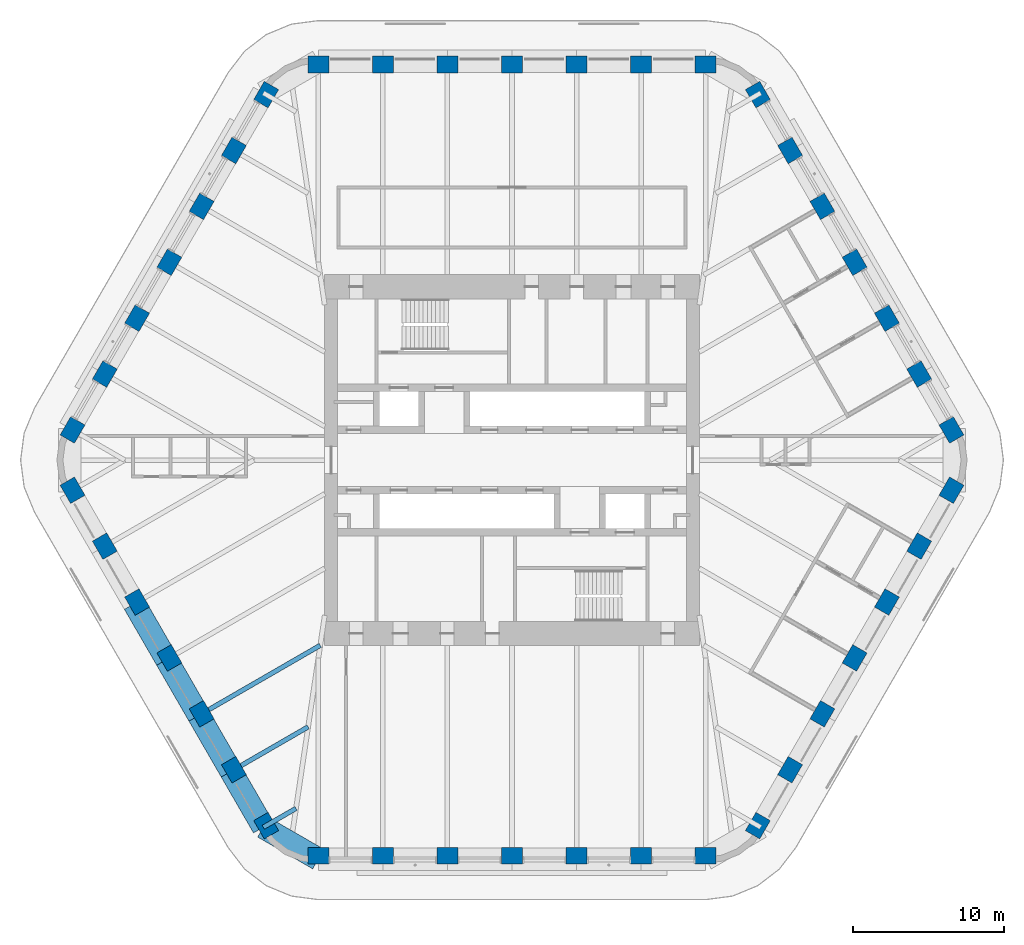
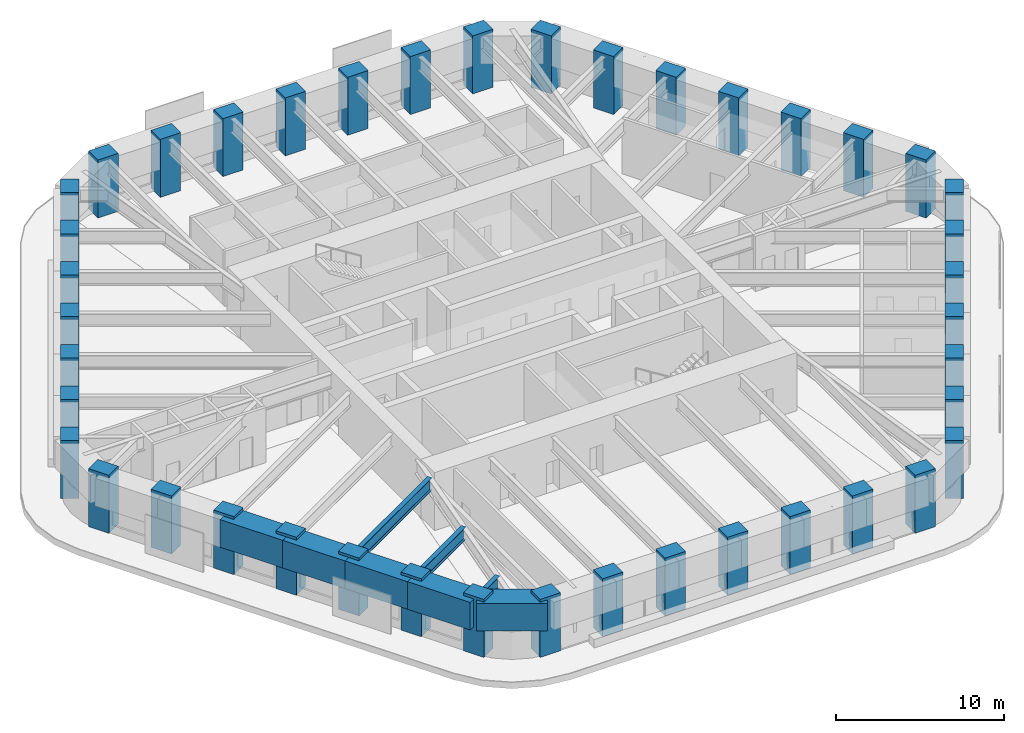
# One storey, part 1 of 18: 42 columns, 8 beams.
"""IFC4 building model written with IfcOpenShell, lengths in metres."""

from ifc_helpers import new_model, si_unit, direction, frame, origin, origin_2d, place, context, subcontext, project, spatial, rectangle, i_section, extrude, material, material_profile, profile_set, type_object, element, save


model = new_model("IFC4")

# Units and contexts
model_context = context("Model", 3, precision=1e-05, world=origin(), true_north=direction((0.0, 1.0)))
body_context = subcontext(model_context, "Body", "Model", "MODEL_VIEW")
ifc_project = project(units=[si_unit("LENGTHUNIT", "METRE"), si_unit("AREAUNIT", "SQUARE_METRE"), si_unit("VOLUMEUNIT", "CUBIC_METRE"), si_unit("PLANEANGLEUNIT", "RADIAN"), si_unit("MASSUNIT", "GRAM", prefix="KILO")], contexts=[model_context])

# Site, building, storey
site_placement = place(None, origin())
site = spatial("IfcSite", under=ifc_project, at=site_placement, CompositionType="ELEMENT")
building_placement = place(site_placement, origin())
building = spatial("IfcBuilding", under=site, at=building_placement, Name="Tarfa Lantern Tower", CompositionType="ELEMENT")
storey_placement = place(building_placement, frame((0.0, 0.0, 315.699951171875)))
storey = spatial("IfcBuildingStorey", under=building, at=storey_placement, Name="L71", CompositionType="ELEMENT", Elevation=315.699951171875)

# Columns
ifc_material_1 = material(Name="Concrete C80/95", Category="concrete")
ifc_material_profile_1 = material_profile(ifc_material_1, rectangle(XDim=1.39990234375, YDim=1.10009765625, at=origin_2d()), Name="RC 1400x1100")
ifc_profile_set_1 = profile_set([ifc_material_profile_1], Name="Concrete C80/95")
column_type = type_object("IfcColumnType", Name="TC13 RC 1400x1100", PredefinedType="COLUMN", material=ifc_profile_set_1)
for number, where, z_axis, x_axis, name in (
    (1, (29.15625, 2.0, 0.0), (0.0, 0.0, 1.0), (-0.5, 0.866025403784, 0.0), "Tube column NE0"),
    (2, (27.01513671875, 5.708251953125, 0.0), (0.0, 0.0, 1.0), (-0.5, 0.866025403784, 0.0), "Tube column NE1"),
    (3, (24.874267578125, 9.416748046875, 0.0), (0.0, 0.0, 1.0), (-0.5, 0.866025403784, 0.0), "Tube column NE2"),
    (4, (22.733154296875, 13.125, 0.0), (0.0, 0.0, 1.0), (-0.5, 0.866025403784, 0.0), "Tube column NE3"),
    (5, (20.592041015625, 16.833251953125, 0.0), (0.0, 0.0, 1.0), (-0.5, 0.866025403784, 0.0), "Tube column NE4"),
    (6, (18.451171875, 20.541748046875, 0.0), (0.0, 0.0, 1.0), (-0.5, 0.866025403784, 0.0), "Tube column NE5"),
    (7, (16.31005859375, 24.25, 0.0), (0.0, 0.0, 1.0), (-0.5, 0.866025403784, 0.0), "Tube column NE6"),
    (8, (12.845947265625, 26.25, 0.0), (0.0, 0.0, 1.0), (-1.0, 0.0, 0.0), "Tube column N0"),
    (9, (8.56396484375, 26.25, 0.0), (0.0, 0.0, 1.0), (-1.0, 0.0, 0.0), "Tube column N1"),
    (10, (4.281982421875, 26.25, 0.0), (0.0, 0.0, 1.0), (-1.0, 0.0, 0.0), "Tube column N2"),
    (11, (0.0, 26.25, 0.0), (0.0, 0.0, 1.0), (-1.0, 0.0, 0.0), "Tube column N3"),
    (12, (-4.281982421875, 26.25, 0.0), (0.0, 0.0, 1.0), (-1.0, 0.0, 0.0), "Tube column N4"),
    (13, (-8.56396484375, 26.25, 0.0), (0.0, 0.0, 1.0), (-1.0, 0.0, 0.0), "Tube column N5"),
    (14, (-12.845947265625, 26.25, 0.0), (0.0, 0.0, 1.0), (-1.0, 0.0, 0.0), "Tube column N6"),
    (15, (-16.31005859375, 24.25, 0.0), (0.0, 0.0, 1.0), (-0.5, -0.866025403784, 0.0), "Tube column NW0"),
    (16, (-18.451171875, 20.541748046875, 0.0), (0.0, 0.0, 1.0), (-0.5, -0.866025403784, 0.0), "Tube column NW1"),
    (17, (-20.592041015625, 16.833251953125, 0.0), (0.0, 0.0, 1.0), (-0.5, -0.866025403784, 0.0), "Tube column NW2"),
    (18, (-22.733154296875, 13.125, 0.0), (0.0, 0.0, 1.0), (-0.5, -0.866025403784, 0.0), "Tube column NW3"),
    (19, (-24.874267578125, 9.416748046875, 0.0), (0.0, 0.0, 1.0), (-0.5, -0.866025403784, 0.0), "Tube column NW4"),
    (20, (-27.01513671875, 5.708251953125, 0.0), (0.0, 0.0, 1.0), (-0.5, -0.866025403784, 0.0), "Tube column NW5"),
    (21, (-29.15625, 2.0, 0.0), (0.0, 0.0, 1.0), (-0.5, -0.866025403784, 0.0), "Tube column NW6"),
    (22, (-29.15625, -2.0, 0.0), (0.0, 0.0, 1.0), (0.5, -0.866025403784, 0.0), "Tube column SW0"),
    (23, (-27.01513671875, -5.708251953125, 0.0), (0.0, 0.0, 1.0), (0.5, -0.866025403784, 0.0), "Tube column SW1"),
    (24, (-24.874267578125, -9.416748046875, 0.0), (0.0, 0.0, 1.0), (0.5, -0.866025403784, 0.0), "Tube column SW2"),
    (25, (-22.733154296875, -13.125, 0.0), (0.0, 0.0, 1.0), (0.5, -0.866025403784, 0.0), "Tube column SW3"),
    (26, (-20.592041015625, -16.833251953125, 0.0), (0.0, 0.0, 1.0), (0.5, -0.866025403784, 0.0), "Tube column SW4"),
    (27, (-18.451171875, -20.541748046875, 0.0), (0.0, 0.0, 1.0), (0.5, -0.866025403784, 0.0), "Tube column SW5"),
    (28, (-16.31005859375, -24.25, 0.0), (0.0, 0.0, 1.0), (0.5, -0.866025403784, 0.0), "Tube column SW6"),
    (29, (-12.845947265625, -26.25, 0.0), (0.0, 0.0, 1.0), (1.0, 0.0, 0.0), "Tube column S0"),
    (30, (-8.56396484375, -26.25, 0.0), (0.0, 0.0, 1.0), (1.0, 0.0, 0.0), "Tube column S1"),
    (31, (-4.281982421875, -26.25, 0.0), (0.0, 0.0, 1.0), (1.0, 0.0, 0.0), "Tube column S2"),
    (32, (0.0, -26.25, 0.0), (0.0, 0.0, 1.0), (1.0, 0.0, 0.0), "Tube column S3"),
    (33, (4.281982421875, -26.25, 0.0), (0.0, 0.0, 1.0), (1.0, 0.0, 0.0), "Tube column S4"),
    (34, (8.56396484375, -26.25, 0.0), (0.0, 0.0, 1.0), (1.0, 0.0, 0.0), "Tube column S5"),
    (35, (12.845947265625, -26.25, 0.0), (0.0, 0.0, 1.0), (1.0, 0.0, 0.0), "Tube column S6"),
    (36, (16.31005859375, -24.25, 0.0), (0.0, 0.0, 1.0), (0.5, 0.866025403784, 0.0), "Tube column SE0"),
    (37, (18.451171875, -20.541748046875, 0.0), (0.0, 0.0, 1.0), (0.5, 0.866025403784, 0.0), "Tube column SE1"),
    (38, (20.592041015625, -16.833251953125, 0.0), (0.0, 0.0, 1.0), (0.5, 0.866025403784, 0.0), "Tube column SE2"),
    (39, (22.733154296875, -13.125, 0.0), (0.0, 0.0, 1.0), (0.5, 0.866025403784, 0.0), "Tube column SE3"),
    (40, (24.874267578125, -9.416748046875, 0.0), (0.0, 0.0, 1.0), (0.5, 0.866025403784, 0.0), "Tube column SE4"),
    (41, (27.01513671875, -5.708251953125, 0.0), (0.0, 0.0, 1.0), (0.5, 0.866025403784, 0.0), "Tube column SE5"),
    (42, (29.15625, -2.0, 0.0), (0.0, 0.0, 1.0), (0.5, 0.866025403784, 0.0), "Tube column SE6"),
):
    element("IfcColumn", number, at=place(storey_placement, frame(where, z_axis=z_axis, x_axis=x_axis)), inside=storey, type_object=column_type, Name=name, PredefinedType="COLUMN", context=body_context, shape_type="SweptSolid", body=[
        extrude(rectangle(XDim=1.39990234375, YDim=1.10009765625, at=origin_2d()), origin(), (0.0, 0.0, 1.0), 4.199951171875),
    ])

# Beams
ifc_material_profile_2 = material_profile(ifc_material_1, rectangle(XDim=1.5, YDim=2.0, at=origin_2d()), Name="RC 1500x2000")
ifc_profile_set_2 = profile_set([ifc_material_profile_2], Name="Concrete C80/95")
beam_type_1 = type_object("IfcBeamType", Name="RB3 RC 1500x2000", PredefinedType="BEAM", material=ifc_profile_set_2)
beam_1_placement = place(storey_placement, frame((-25.064697265625, -9.526611328125, 3.0), z_axis=(0.500002112793, -0.866024183959, 0.0), x_axis=(0.866024183959, 0.500002112793, 0.0)))
element("IfcBeam", 43, at=beam_1_placement, inside=storey, type_object=beam_type_1, Name="Edge beam SW2", PredefinedType="BEAM", context=body_context, shape_type="SweptSolid", body=[
    extrude(rectangle(XDim=1.5, YDim=2.0, at=origin_2d()), origin(), (0.0, 0.0, 1.0), 4.2822265625),
])
for number, where, z_axis, x_axis, name in (
    (44, (-22.923583984375, -13.235107421875, 3.0), (0.499984039138, -0.866034618596, 0.0), (0.866034618596, 0.499984039138, 0.0), "Edge beam SW3"),
    (45, (-20.78271484375, -16.943359375, 3.0), (0.500026801138, -0.866009929587, 0.0), (0.866009929587, 0.500026801138, 0.0), "Edge beam SW4"),
    (46, (-18.6416015625, -20.651611328125, 3.0), (0.499959351497, -0.866048870937, 0.0), (0.866048870937, 0.499959351497, 0.0), "Edge beam SW5"),
):
    element("IfcBeam", number, at=place(storey_placement, frame(where, z_axis=z_axis, x_axis=x_axis)), inside=storey, type_object=beam_type_1, Name=name, PredefinedType="BEAM", context=body_context, shape_type="SweptSolid", body=[
        extrude(rectangle(XDim=1.5, YDim=2.0, at=origin_2d()), origin(), (0.0, 0.0, 1.0), 4.281982421875),
    ])
beam_2_placement = place(storey_placement, frame((-16.500732421875, -24.360107421875, 3.0), z_axis=(0.866048788483, -0.499959494327, 0.0), x_axis=(0.499959494327, 0.866048788483, 0.0)))
element("IfcBeam", 47, at=beam_2_placement, inside=storey, type_object=beam_type_1, Name="Edge beam SW6", PredefinedType="BEAM", context=body_context, shape_type="SweptSolid", body=[
    extrude(rectangle(XDim=1.5, YDim=2.0, at=origin_2d()), origin(), (0.0, 0.0, 1.0), 4.219970703125),
])
ifc_material_2 = material(Name="Steel S460M", Category="steel")
ifc_material_profile_3 = material_profile(ifc_material_2, i_section(OverallWidth=0.305419921875, OverallDepth=0.91845703125, WebThickness=0.017333984375, FlangeThickness=0.02783203125, FilletRadius=0.01904296875, at=origin_2d()), Name="UB914x305x253")
ifc_profile_set_3 = profile_set([ifc_material_profile_3], Name="Steel S460M")
beam_type_2 = type_object("IfcBeamType", Name="UB914x305x253", PredefinedType="BEAM", material=ifc_profile_set_3)
beam_3_placement = place(storey_placement, frame((-20.78271484375, -16.943359375, 3.540771484375), z_axis=(0.866021806508, 0.500006230613, 0.0), x_axis=(-0.500006230613, 0.866021806508, 0.0)))
element("IfcBeam", 48, at=beam_3_placement, inside=storey, type_object=beam_type_2, Name="Floor beam SW4", PredefinedType="BEAM", context=body_context, shape_type="SweptSolid", body=[
    extrude(i_section(OverallWidth=0.305419921875, OverallDepth=0.91845703125, WebThickness=0.017333984375, FlangeThickness=0.02783203125, FilletRadius=0.01904296875, at=origin_2d()), origin(), (0.0, 0.0, 1.0), 9.30908203125),
])
beam_4_placement = place(storey_placement, frame((-18.6416015625, -20.651611328125, 3.540771484375), z_axis=(0.866024549157, 0.500001480256, 0.0), x_axis=(-0.500001480256, 0.866024549157, 0.0)))
element("IfcBeam", 49, at=beam_4_placement, inside=storey, type_object=beam_type_2, Name="Floor beam SW5", PredefinedType="BEAM", context=body_context, shape_type="SweptSolid", body=[
    extrude(i_section(OverallWidth=0.305419921875, OverallDepth=0.91845703125, WebThickness=0.017333984375, FlangeThickness=0.02783203125, FilletRadius=0.01904296875, at=origin_2d()), origin(), (0.0, 0.0, 1.0), 5.90771484375),
])
beam_5_placement = place(storey_placement, frame((-16.500732421875, -24.360107421875, 3.540771484375), z_axis=(0.865992557167, 0.500056887695, 0.0), x_axis=(-0.500056887695, 0.865992557167, 0.0)))
element("IfcBeam", 50, at=beam_5_placement, inside=storey, type_object=beam_type_2, Name="Floor beam SW6", PredefinedType="BEAM", context=body_context, shape_type="SweptSolid", body=[
    extrude(i_section(OverallWidth=0.305419921875, OverallDepth=0.91845703125, WebThickness=0.017333984375, FlangeThickness=0.02783203125, FilletRadius=0.01904296875, at=origin_2d()), origin(), (0.0, 0.0, 1.0), 2.506591796875),
])

save(model, "model.ifc")
